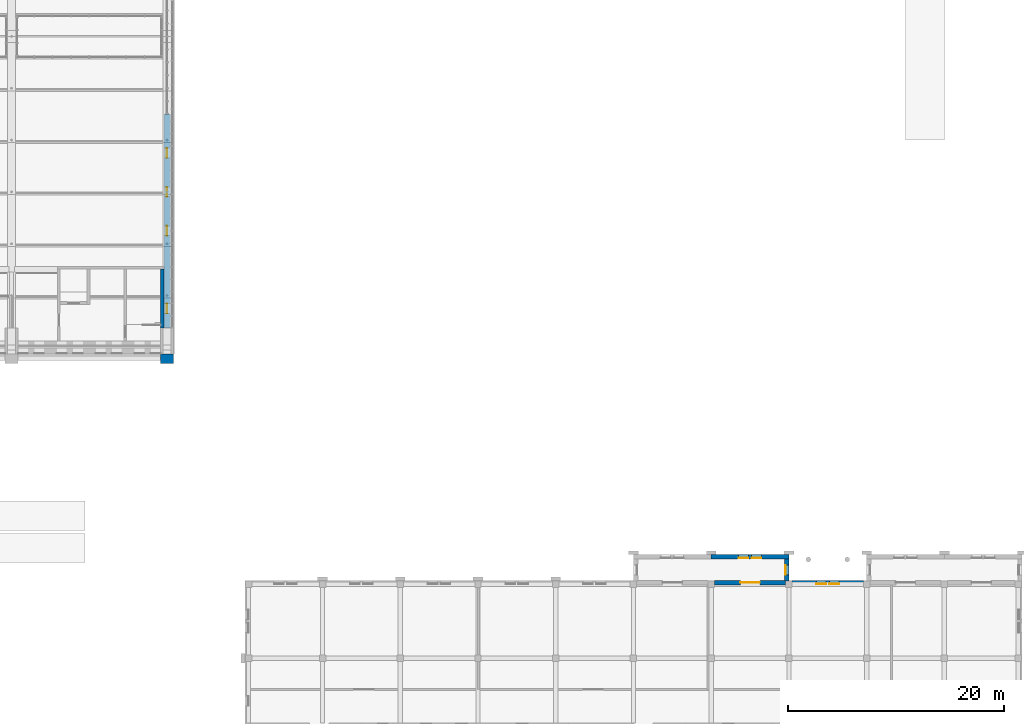
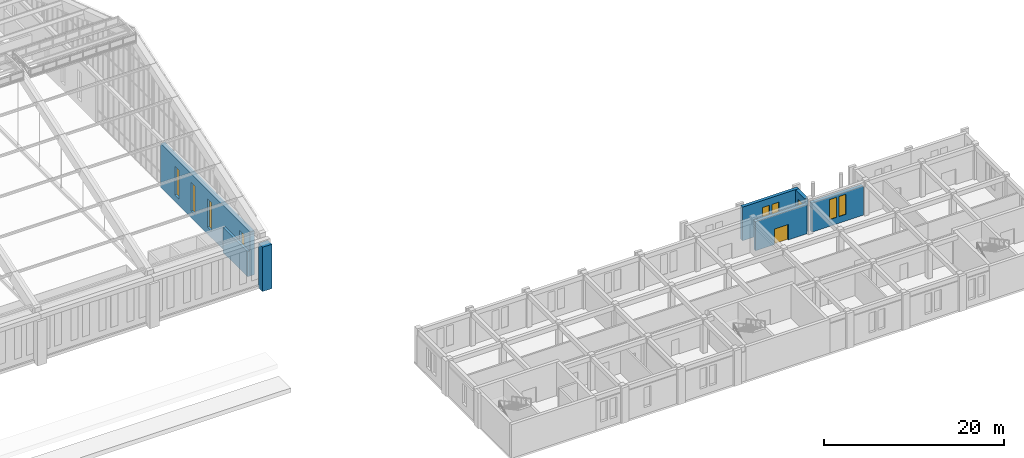
# One storey, part 138 of 149: 9 windows, 7 walls, 1 door, 10 openings.
"""IFC4 building model written with IfcOpenShell, lengths in metres."""

from ifc_helpers import new_model, si_unit, direction, frame, frame_2d, origin, place, context, subcontext, project, spatial, rectangle, extrude, material, layer, layer_set, type_object, element, fill, save


model = new_model("IFC4")

# Units and contexts
model_context = context("Model", 3, precision=1e-05, world=origin(), true_north=direction((0.0, 1.0)))
body_context = subcontext(model_context, "Body", "Model", "MODEL_VIEW")
ifc_project = project(units=[si_unit("LENGTHUNIT", "METRE"), si_unit("AREAUNIT", "SQUARE_METRE"), si_unit("VOLUMEUNIT", "CUBIC_METRE"), si_unit("PLANEANGLEUNIT", "RADIAN"), si_unit("MASSUNIT", "GRAM", prefix="KILO")], contexts=[model_context])

# Site, building, storey
site_placement = place(None, origin())
site = spatial("IfcSite", under=ifc_project, at=site_placement, CompositionType="ELEMENT")
building_placement = place(site_placement, origin())
building = spatial("IfcBuilding", under=site, at=building_placement, Name="Alderwick Market Hall", CompositionType="ELEMENT")
storey_placement = place(building_placement, frame((0.0, 0.0, 9.60009765625)))
storey = spatial("IfcBuildingStorey", under=building, at=storey_placement, Name="L01", CompositionType="ELEMENT", Elevation=9.60009765625)

# Wall, opening, door
ifc_material_1 = material(Name="Face brick", Category="masonry")
ifc_layer_1 = layer(ifc_material_1, 0.39990234375)
ifc_layer_set_1 = layer_set([ifc_layer_1], Name="Face brick")
wall_type_1 = type_object("IfcWallType", Name="C Brick Pier Wall 400", PredefinedType="SOLIDWALL", material=ifc_layer_set_1)
wall_1_placement = place(storey_placement, frame((201.89990234375, 28.60009765625, 0.0), z_axis=(0.0, 0.0, 1.0), x_axis=(1.0, 0.0, 0.0)))
wall_1 = element("IfcWall", 1, at=wall_1_placement, inside=storey, type_object=wall_type_1, Name="C.wall.L01.fac.front.07", PredefinedType="SOLIDWALL", context=body_context, shape_type="SweptSolid", body=[
    extrude(rectangle(XDim=6.60009765625, YDim=0.39990234375, at=frame_2d((3.300048828125, 0.0))), origin(), (0.0, 0.0, 1.0), 3.949951171875),
])
opening_1_placement = place(wall_1_placement, frame((2.39990234375, 0.0, 0.0)))
opening_1 = element("IfcOpeningElement", 2, at=opening_1_placement, cuts=wall_1, Name="Opening C-D011", PredefinedType="OPENING", context=body_context, shape_type="SweptSolid", body=[
    extrude(rectangle(XDim=1.800048828125, YDim=2.10009765625, at=frame_2d((0.89990234375, 1.050048828125))), frame((0.0, 0.2099609375, 0.0), z_axis=(0.0, -1.0, 0.0), x_axis=(1.0, 0.0, 0.0)), (0.0, 0.0, 1.0), 0.419921875),
])
ifc_material_2 = material(Name="Timber, solid core", Category="wood")
door_type = type_object("IfcDoorType", Name="C Door Pair 1800x2100", OperationType="NOTDEFINED", PredefinedType="DOOR", material=ifc_material_2)
door_placement = place(opening_1_placement, origin())
door = element("IfcDoor", 3, at=door_placement, inside=storey, type_object=door_type, Name="C.door.L01.011", OperationType="NOTDEFINED", OverallHeight=2.10009765625, OverallWidth=1.800048828125, PredefinedType="DOOR", context=body_context, shape_type="SweptSolid", body=[
    extrude(rectangle(XDim=1.800048828125, YDim=2.10009765625, at=frame_2d((0.89990234375, 1.050048828125))), frame((0.0, 0.02490234375, 0.0), z_axis=(0.0, -1.0, 0.0), x_axis=(1.0, 0.0, 0.0)), (0.0, 0.0, 1.0), 0.050048828125),
])
fill(opening_1, door)

# Wall, openings, windows
wall_2_placement = place(storey_placement, frame((209.10009765625, 28.60009765625, 0.0), z_axis=(0.0, 0.0, 1.0), x_axis=(1.0, 0.0, 0.0)))
wall_2 = element("IfcWall", 4, at=wall_2_placement, inside=storey, type_object=wall_type_1, Name="C.wall.L01.fac.front.08", PredefinedType="SOLIDWALL", context=body_context, shape_type="SweptSolid", body=[
    extrude(rectangle(XDim=6.599853515625, YDim=0.39990234375, at=frame_2d((3.2998046875, 0.0))), origin(), (0.0, 0.0, 1.0), 3.949951171875),
])
opening_2_placement = place(wall_2_placement, frame((2.25, 0.0, 0.89990234375)))
opening_2 = element("IfcOpeningElement", 5, at=opening_2_placement, cuts=wall_2, Name="Opening C-W035", PredefinedType="OPENING", context=body_context, shape_type="SweptSolid", body=[
    extrude(rectangle(XDim=0.89990234375, YDim=2.699951171875, at=frame_2d((0.449951171875, 1.35009765625))), frame((0.0, 0.2099609375, 0.0), z_axis=(0.0, -1.0, 0.0), x_axis=(1.0, 0.0, 0.0)), (0.0, 0.0, 1.0), 0.419921875),
])
opening_3_placement = place(wall_2_placement, frame((3.449951171875, 0.0, 0.89990234375)))
opening_3 = element("IfcOpeningElement", 6, at=opening_3_placement, cuts=wall_2, Name="Opening C-W036", PredefinedType="OPENING", context=body_context, shape_type="SweptSolid", body=[
    extrude(rectangle(XDim=0.89990234375, YDim=2.699951171875, at=frame_2d((0.449951171875, 1.35009765625))), frame((0.0, 0.2099609375, 0.0), z_axis=(0.0, -1.0, 0.0), x_axis=(1.0, 0.0, 0.0)), (0.0, 0.0, 1.0), 0.419921875),
])
ifc_material_3 = material(Name="Aluminium frame, double glazing", Category="aluminium")
window_type_1 = type_object("IfcWindowType", Name="C Paired Window 900x2700", PartitioningType="SINGLE_PANEL", PredefinedType="WINDOW", material=ifc_material_3)
window_1_placement = place(opening_2_placement, origin())
window_1 = element("IfcWindow", 7, at=window_1_placement, inside=storey, type_object=window_type_1, Name="C.win.L01.035", OverallHeight=2.699951171875, OverallWidth=0.89990234375, PartitioningType="SINGLE_PANEL", PredefinedType="WINDOW", context=body_context, shape_type="SweptSolid", body=[
    extrude(rectangle(XDim=0.89990234375, YDim=2.699951171875, at=frame_2d((0.449951171875, 1.35009765625))), frame((0.0, -0.090087890625, 0.0), z_axis=(0.0, -1.0, 0.0), x_axis=(1.0, 0.0, 0.0)), (0.0, 0.0, 1.0), 0.06005859375),
])
fill(opening_2, window_1)
window_2_placement = place(opening_3_placement, origin())
window_2 = element("IfcWindow", 8, at=window_2_placement, inside=storey, type_object=window_type_1, Name="C.win.L01.036", OverallHeight=2.699951171875, OverallWidth=0.89990234375, PartitioningType="SINGLE_PANEL", PredefinedType="WINDOW", context=body_context, shape_type="SweptSolid", body=[
    extrude(rectangle(XDim=0.89990234375, YDim=2.699951171875, at=frame_2d((0.449951171875, 1.35009765625))), frame((0.0, -0.090087890625, 0.0), z_axis=(0.0, -1.0, 0.0), x_axis=(1.0, 0.0, 0.0)), (0.0, 0.0, 1.0), 0.06005859375),
])
fill(opening_3, window_2)

wall_3_placement = place(storey_placement, frame((201.60009765625, 31.0, 0.0), z_axis=(0.0, 0.0, 1.0), x_axis=(1.0, 0.0, 0.0)))
wall_3 = element("IfcWall", 9, at=wall_3_placement, inside=storey, type_object=wall_type_1, Name="C.wall.L01.pav1.front.02", PredefinedType="SOLIDWALL", context=body_context, shape_type="SweptSolid", body=[
    extrude(rectangle(XDim=7.199951171875, YDim=0.39990234375, at=frame_2d((3.60009765625, 0.0))), origin(), (0.0, 0.0, 1.0), 4.5498046875),
])
opening_4_placement = place(wall_3_placement, frame((2.550048828125, 0.0, 0.89990234375)))
opening_4 = element("IfcOpeningElement", 10, at=opening_4_placement, cuts=wall_3, Name="Opening C-W078", PredefinedType="OPENING", context=body_context, shape_type="SweptSolid", body=[
    extrude(rectangle(XDim=0.89990234375, YDim=2.699951171875, at=frame_2d((0.449951171875, 1.35009765625))), frame((0.0, 0.2099609375, 0.0), z_axis=(0.0, -1.0, 0.0), x_axis=(1.0, 0.0, 0.0)), (0.0, 0.0, 1.0), 0.419921875),
])
opening_5_placement = place(wall_3_placement, frame((3.75, 0.0, 0.89990234375)))
opening_5 = element("IfcOpeningElement", 11, at=opening_5_placement, cuts=wall_3, Name="Opening C-W079", PredefinedType="OPENING", context=body_context, shape_type="SweptSolid", body=[
    extrude(rectangle(XDim=0.89990234375, YDim=2.699951171875, at=frame_2d((0.449951171875, 1.35009765625))), frame((0.0, 0.2099609375, 0.0), z_axis=(0.0, -1.0, 0.0), x_axis=(1.0, 0.0, 0.0)), (0.0, 0.0, 1.0), 0.419921875),
])
window_3_placement = place(opening_4_placement, origin())
window_3 = element("IfcWindow", 12, at=window_3_placement, inside=storey, type_object=window_type_1, Name="C.win.L01.078", OverallHeight=2.699951171875, OverallWidth=0.89990234375, PartitioningType="SINGLE_PANEL", PredefinedType="WINDOW", context=body_context, shape_type="SweptSolid", body=[
    extrude(rectangle(XDim=0.89990234375, YDim=2.699951171875, at=frame_2d((0.449951171875, 1.35009765625))), frame((0.0, -0.090087890625, 0.0), z_axis=(0.0, -1.0, 0.0), x_axis=(1.0, 0.0, 0.0)), (0.0, 0.0, 1.0), 0.06005859375),
])
fill(opening_4, window_3)
window_4_placement = place(opening_5_placement, origin())
window_4 = element("IfcWindow", 13, at=window_4_placement, inside=storey, type_object=window_type_1, Name="C.win.L01.079", OverallHeight=2.699951171875, OverallWidth=0.89990234375, PartitioningType="SINGLE_PANEL", PredefinedType="WINDOW", context=body_context, shape_type="SweptSolid", body=[
    extrude(rectangle(XDim=0.89990234375, YDim=2.699951171875, at=frame_2d((0.449951171875, 1.35009765625))), frame((0.0, -0.090087890625, 0.0), z_axis=(0.0, -1.0, 0.0), x_axis=(1.0, 0.0, 0.0)), (0.0, 0.0, 1.0), 0.06005859375),
])
fill(opening_5, window_4)

# Wall, opening, window
wall_4_placement = place(storey_placement, frame((208.60009765625, 30.800048828125, 0.0), z_axis=(0.0, 0.0, 1.0), x_axis=(0.0, -1.0, 0.0)))
wall_4 = element("IfcWall", 14, at=wall_4_placement, inside=storey, type_object=wall_type_1, Name="C.wall.L01.pav1.east.01", PredefinedType="SOLIDWALL", context=body_context, shape_type="SweptSolid", body=[
    extrude(rectangle(XDim=2.050048828125, YDim=0.39990234375, at=frame_2d((1.02490234375, 0.0))), origin(), (0.0, 0.0, 1.0), 4.5498046875),
])
opening_6_placement = place(wall_4_placement, frame((0.574951171875, 0.0, 0.89990234375)))
opening_6 = element("IfcOpeningElement", 15, at=opening_6_placement, cuts=wall_4, Name="Opening C-W081", PredefinedType="OPENING", context=body_context, shape_type="SweptSolid", body=[
    extrude(rectangle(XDim=0.89990234375, YDim=2.699951171875, at=frame_2d((0.449951171875, 1.35009765625))), frame((0.0, 0.2099609375, 0.0), z_axis=(0.0, -1.0, 0.0), x_axis=(1.0, 0.0, 0.0)), (0.0, 0.0, 1.0), 0.419921875),
])
window_5_placement = place(opening_6_placement, origin())
window_5 = element("IfcWindow", 16, at=window_5_placement, inside=storey, type_object=window_type_1, Name="C.win.L01.081", OverallHeight=2.699951171875, OverallWidth=0.89990234375, PartitioningType="SINGLE_PANEL", PredefinedType="WINDOW", context=body_context, shape_type="SweptSolid", body=[
    extrude(rectangle(XDim=0.89990234375, YDim=2.699951171875, at=frame_2d((0.449951171875, 1.35009765625))), frame((0.0, -0.090087890625, 0.0), z_axis=(0.0, -1.0, 0.0), x_axis=(1.0, 0.0, 0.0)), (0.0, 0.0, 1.0), 0.06005859375),
])
fill(opening_6, window_5)

# Walls
ifc_material_4 = material(Name="Face brick masonry, ASTM C216 grade SW (f'm 17 MPa)", Category="masonry")
ifc_layer_2 = layer(ifc_material_4, 0.89990234375)
ifc_layer_set_2 = layer_set([ifc_layer_2], Name="Face brick masonry, ASTM C216 grade SW (f'm 17 MPa)")
wall_type_2 = type_object("IfcWallType", Name="H Buttress pier 900", PredefinedType="SOLIDWALL", material=ifc_layer_set_2)
wall_5_placement = place(storey_placement, frame((150.60009765625, 49.35009765625, 0.0), z_axis=(0.0, 0.0, 1.0), x_axis=(1.0, 0.0, 0.0)))
element("IfcWall", 17, at=wall_5_placement, inside=storey, type_object=wall_type_2, Name="Buttress pier S8", PredefinedType="SOLIDWALL", context=body_context, shape_type="SweptSolid", body=[
    extrude(rectangle(XDim=1.199951171875, YDim=0.89990234375, at=frame_2d((0.60009765625, 0.0))), origin(), (0.0, 0.0, 1.0), 6.0),
])
ifc_material_5 = material(Name="Concrete 5000 psi (f'c 35 MPa)", Category="concrete")
ifc_layer_3 = layer(ifc_material_5, 0.300048828125)
ifc_layer_set_3 = layer_set([ifc_layer_3], Name="Concrete 5000 psi (f'c 35 MPa)")
wall_type_3 = type_object("IfcWallType", Name="H Stair furring wall 300", PredefinedType="SOLIDWALL", material=ifc_layer_set_3)
wall_6_placement = place(storey_placement, frame((150.75, 52.199951171875, 0.0), z_axis=(0.0, 0.0, 1.0), x_axis=(0.0, 1.0, 0.0)))
element("IfcWall", 18, at=wall_6_placement, inside=storey, type_object=wall_type_3, Name="Core wall H-SE", PredefinedType="SOLIDWALL", context=body_context, shape_type="SweptSolid", body=[
    extrude(rectangle(XDim=5.43994140625, YDim=0.300048828125, at=frame_2d((2.719970703125, 0.0))), origin(), (0.0, 0.0, 1.0), 3.39990234375),
])

# Wall, openings, windows
ifc_layer_4 = layer(ifc_material_5, 0.60009765625)
ifc_layer_set_4 = layer_set([ifc_layer_4], Name="Concrete 5000 psi (f'c 35 MPa)")
wall_type_4 = type_object("IfcWallType", Name="R Gable Wall 600", PredefinedType="SOLIDWALL", material=ifc_layer_set_4)
wall_7_placement = place(storey_placement, frame((151.199951171875, 52.199951171875, 0.0), z_axis=(0.0, 0.0, 1.0), x_axis=(0.0, 1.0, 0.0)))
wall_7 = element("IfcWall", 19, at=wall_7_placement, inside=storey, type_object=wall_type_4, Name="East gable wall S L01", PredefinedType="SOLIDWALL", context=body_context, shape_type="SweptSolid", body=[
    extrude(rectangle(XDim=19.800048828125, YDim=0.60009765625, at=frame_2d((9.89990234375, 0.0))), origin(), (0.0, 0.0, 1.0), 5.94677734375),
])
opening_7_placement = place(wall_7_placement, frame((1.35009765625, 0.0, 0.89990234375)))
opening_7 = element("IfcOpeningElement", 20, at=opening_7_placement, cuts=wall_7, Name="Opening R-W063", PredefinedType="OPENING", context=body_context, shape_type="SweptSolid", body=[
    extrude(rectangle(XDim=0.89990234375, YDim=3.89990234375, at=frame_2d((0.449951171875, 1.949951171875))), frame((0.0, 0.31005859375, 0.0), z_axis=(0.0, -1.0, 0.0), x_axis=(1.0, 0.0, 0.0)), (0.0, 0.0, 1.0), 0.6201171875),
])
opening_8_placement = place(wall_7_placement, frame((8.550048828125, 0.0, 0.89990234375)))
opening_8 = element("IfcOpeningElement", 21, at=opening_8_placement, cuts=wall_7, Name="Opening R-W064", PredefinedType="OPENING", context=body_context, shape_type="SweptSolid", body=[
    extrude(rectangle(XDim=0.89990234375, YDim=3.89990234375, at=frame_2d((0.449951171875, 1.949951171875))), frame((0.0, 0.31005859375, 0.0), z_axis=(0.0, -1.0, 0.0), x_axis=(1.0, 0.0, 0.0)), (0.0, 0.0, 1.0), 0.6201171875),
])
opening_9_placement = place(wall_7_placement, frame((12.14990234375, 0.0, 0.89990234375)))
opening_9 = element("IfcOpeningElement", 22, at=opening_9_placement, cuts=wall_7, Name="Opening R-W065", PredefinedType="OPENING", context=body_context, shape_type="SweptSolid", body=[
    extrude(rectangle(XDim=0.89990234375, YDim=3.89990234375, at=frame_2d((0.449951171875, 1.949951171875))), frame((0.0, 0.31005859375, 0.0), z_axis=(0.0, -1.0, 0.0), x_axis=(1.0, 0.0, 0.0)), (0.0, 0.0, 1.0), 0.6201171875),
])
opening_10_placement = place(wall_7_placement, frame((15.75, 0.0, 0.89990234375)))
opening_10 = element("IfcOpeningElement", 23, at=opening_10_placement, cuts=wall_7, Name="Opening R-W066", PredefinedType="OPENING", context=body_context, shape_type="SweptSolid", body=[
    extrude(rectangle(XDim=0.89990234375, YDim=3.89990234375, at=frame_2d((0.449951171875, 1.949951171875))), frame((0.0, 0.31005859375, 0.0), z_axis=(0.0, -1.0, 0.0), x_axis=(1.0, 0.0, 0.0)), (0.0, 0.0, 1.0), 0.6201171875),
])
ifc_material_6 = material(Name="Aluminium", Category="aluminium")
window_type_2 = type_object("IfcWindowType", Name="R Gable Window 900x3900", PartitioningType="SINGLE_PANEL", PredefinedType="WINDOW", material=ifc_material_6)
window_6_placement = place(opening_7_placement, origin())
window_6 = element("IfcWindow", 24, at=window_6_placement, inside=storey, type_object=window_type_2, Name="Gable window R-W063", OverallHeight=3.89990234375, OverallWidth=0.89990234375, PartitioningType="SINGLE_PANEL", PredefinedType="WINDOW", context=body_context, shape_type="SweptSolid", body=[
    extrude(rectangle(XDim=0.89990234375, YDim=3.89990234375, at=frame_2d((0.449951171875, 1.949951171875))), frame((0.0, 0.030029296875, 0.0), z_axis=(0.0, -1.0, 0.0), x_axis=(1.0, 0.0, 0.0)), (0.0, 0.0, 1.0), 0.06005859375),
])
fill(opening_7, window_6)
window_7_placement = place(opening_8_placement, origin())
window_7 = element("IfcWindow", 25, at=window_7_placement, inside=storey, type_object=window_type_2, Name="Gable window R-W064", OverallHeight=3.89990234375, OverallWidth=0.89990234375, PartitioningType="SINGLE_PANEL", PredefinedType="WINDOW", context=body_context, shape_type="SweptSolid", body=[
    extrude(rectangle(XDim=0.89990234375, YDim=3.89990234375, at=frame_2d((0.449951171875, 1.949951171875))), frame((0.0, 0.030029296875, 0.0), z_axis=(0.0, -1.0, 0.0), x_axis=(1.0, 0.0, 0.0)), (0.0, 0.0, 1.0), 0.06005859375),
])
fill(opening_8, window_7)
window_8_placement = place(opening_9_placement, origin())
window_8 = element("IfcWindow", 26, at=window_8_placement, inside=storey, type_object=window_type_2, Name="Gable window R-W065", OverallHeight=3.89990234375, OverallWidth=0.89990234375, PartitioningType="SINGLE_PANEL", PredefinedType="WINDOW", context=body_context, shape_type="SweptSolid", body=[
    extrude(rectangle(XDim=0.89990234375, YDim=3.89990234375, at=frame_2d((0.449951171875, 1.949951171875))), frame((0.0, 0.030029296875, 0.0), z_axis=(0.0, -1.0, 0.0), x_axis=(1.0, 0.0, 0.0)), (0.0, 0.0, 1.0), 0.06005859375),
])
fill(opening_9, window_8)
window_9_placement = place(opening_10_placement, origin())
window_9 = element("IfcWindow", 27, at=window_9_placement, inside=storey, type_object=window_type_2, Name="Gable window R-W066", OverallHeight=3.89990234375, OverallWidth=0.89990234375, PartitioningType="SINGLE_PANEL", PredefinedType="WINDOW", context=body_context, shape_type="SweptSolid", body=[
    extrude(rectangle(XDim=0.89990234375, YDim=3.89990234375, at=frame_2d((0.449951171875, 1.949951171875))), frame((0.0, 0.030029296875, 0.0), z_axis=(0.0, -1.0, 0.0), x_axis=(1.0, 0.0, 0.0)), (0.0, 0.0, 1.0), 0.06005859375),
])
fill(opening_10, window_9)

save(model, "model.ifc")
